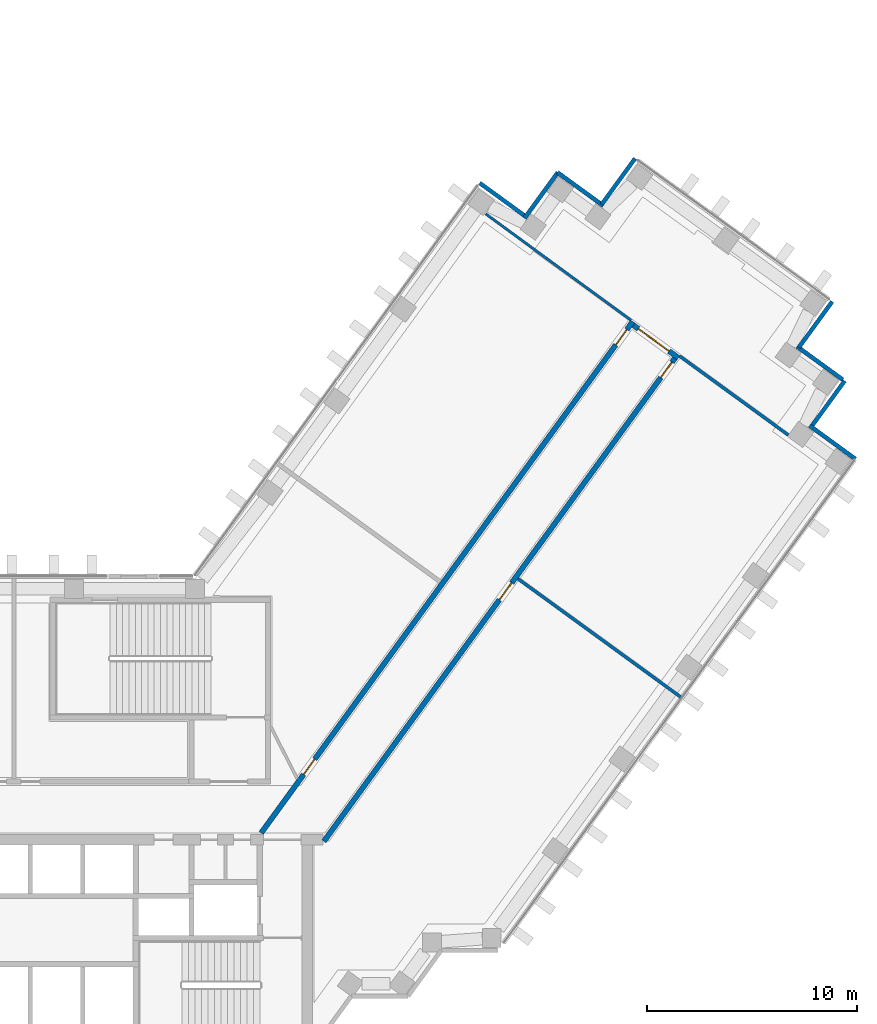
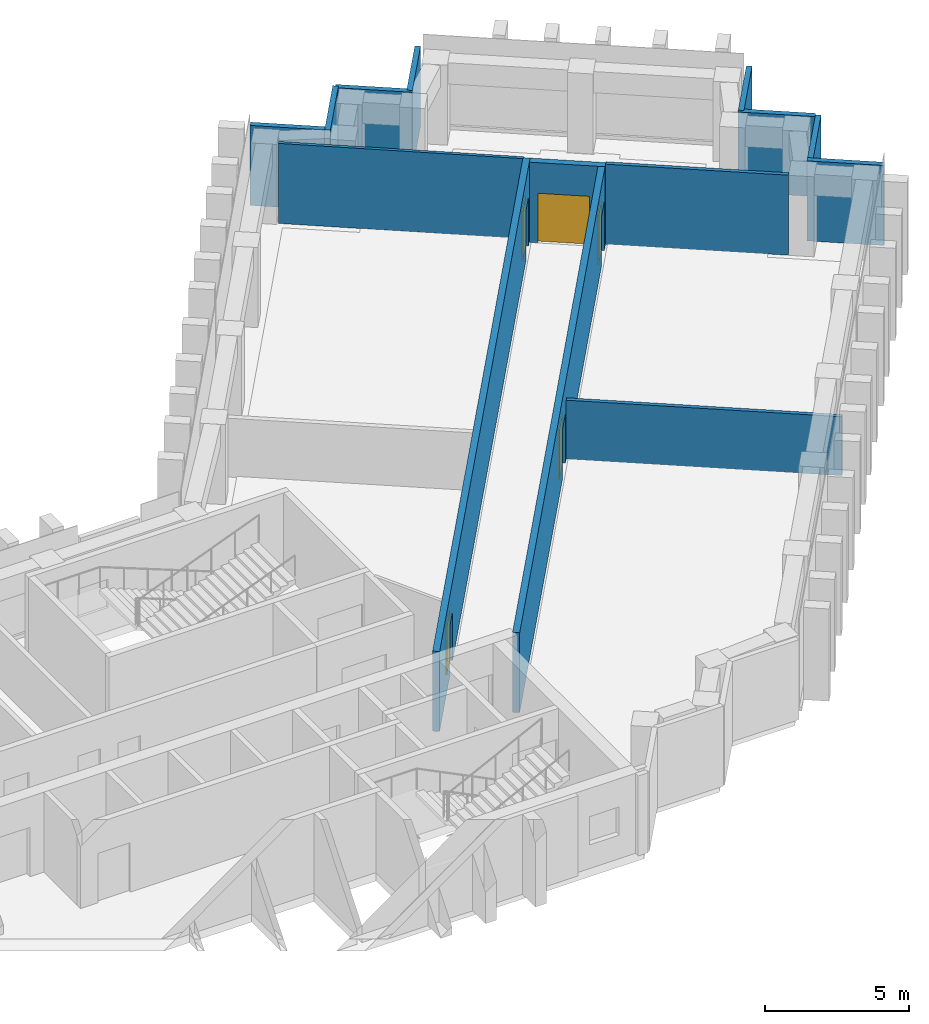
# One storey, part 8 of 11: 14 walls, 5 doors, 5 openings.
"""IFC4 building model written with IfcOpenShell, lengths in metres."""

from ifc_helpers import new_model, si_unit, direction, frame, frame_2d, origin, place, context, subcontext, project, spatial, rectangle, extrude, material, layer, layer_set, type_object, element, fill, save


model = new_model("IFC4")

# Units and contexts
model_context = context("Model", 3, precision=1e-05, world=origin(), true_north=direction((0.0, 1.0)))
body_context = subcontext(model_context, "Body", "Model", "MODEL_VIEW")
ifc_project = project(units=[si_unit("LENGTHUNIT", "METRE"), si_unit("AREAUNIT", "SQUARE_METRE"), si_unit("VOLUMEUNIT", "CUBIC_METRE"), si_unit("PLANEANGLEUNIT", "RADIAN"), si_unit("MASSUNIT", "GRAM", prefix="KILO")], contexts=[model_context])

# Site, building, storey
site_placement = place(None, origin())
site = spatial("IfcSite", under=ifc_project, at=site_placement, CompositionType="ELEMENT")
building_placement = place(site_placement, origin())
building = spatial("IfcBuilding", under=site, at=building_placement, Name="Quipu Civic Tower", CompositionType="ELEMENT")
storey_placement = place(building_placement, frame((0.0, 0.0, 129.0)))
storey = spatial("IfcBuildingStorey", under=building, at=storey_placement, Name="L30", CompositionType="ELEMENT", Elevation=129.0)

# Walls
ifc_material_1 = material(Name="Double gypsum plasterboard with mineral wool")
ifc_layer_1 = layer(ifc_material_1, 0.14990234375)
ifc_layer_set_1 = layer_set([ifc_layer_1], Name="Double gypsum plasterboard with mineral wool")
wall_type_1 = type_object("IfcWallType", Name="Acoustic partition 150 plasterboard", PredefinedType="PARTITIONING", material=ifc_layer_set_1)
wall_1_placement = place(storey_placement, frame((37.577392578125, 5.30712890625, 0.0), z_axis=(0.0, 0.0, 1.0), x_axis=(-0.809032429128, 0.587764007591, 0.0)))
element("IfcWall", 1, at=wall_1_placement, inside=storey, type_object=wall_type_1, Name="Partition P03", PredefinedType="PARTITIONING", context=body_context, shape_type="SweptSolid", body=[
    extrude(rectangle(XDim=9.651123046875, YDim=0.14990234375, at=frame_2d((4.82568359375, 0.0))), origin(), (0.0, 0.0, 1.0), 2.5),
])
wall_2_placement = place(storey_placement, frame((42.6455078125, 17.822998046875, 0.0), z_axis=(0.0, 0.0, 1.0), x_axis=(-0.80900675786, 0.587799341388, 0.0)))
element("IfcWall", 2, at=wall_2_placement, inside=storey, type_object=wall_type_1, Name="Partition P06", PredefinedType="PARTITIONING", context=body_context, shape_type="SweptSolid", body=[
    extrude(rectangle(XDim=6.394775390625, YDim=0.14990234375, at=frame_2d((3.197265625, 0.0))), origin(), (0.0, 0.0, 1.0), 3.39990234375),
])

# Wall, openings, doors
ifc_material_2 = material(Name="Concrete C50/60", Category="concrete")
ifc_layer_2 = layer(ifc_material_2, 0.25)
ifc_layer_set_2 = layer_set([ifc_layer_2], Name="Concrete C50/60")
wall_type_2 = type_object("IfcWallType", Name="Corridor wall 250 concrete", PredefinedType="SOLIDWALL", material=ifc_layer_set_2)
wall_3_placement = place(storey_placement, frame((17.544921875, -1.124755859375, 0.0), z_axis=(0.0, 0.0, 1.0), x_axis=(0.587786330937, 0.809016210693, 0.0)))
wall_3 = element("IfcWall", 3, at=wall_3_placement, inside=storey, type_object=wall_type_2, Name="Corridor wall C05", PredefinedType="SOLIDWALL", context=body_context, shape_type="SweptSolid", body=[
    extrude(rectangle(XDim=30.10302734375, YDim=0.25, at=frame_2d((15.051513671875, 0.0))), origin(), (0.0, 0.0, 1.0), 3.39990234375),
])
opening_1_placement = place(wall_3_placement, frame((3.44140625, 0.0, 0.0)))
opening_1 = element("IfcOpeningElement", 4, at=opening_1_placement, cuts=wall_3, Name="Opening D001", PredefinedType="OPENING", context=body_context, shape_type="SweptSolid", body=[
    extrude(rectangle(XDim=0.89990234375, YDim=2.10009765625, at=frame_2d((0.449951171875, 1.050048828125))), frame((0.0, 0.135009765625, 0.0), z_axis=(0.0, -1.0, 0.0), x_axis=(1.0, 0.0, 0.0)), (0.0, 0.0, 1.0), 0.27001953125),
])
opening_2_placement = place(wall_3_placement, frame((28.72900390625, 0.0, 0.0)))
opening_2 = element("IfcOpeningElement", 5, at=opening_2_placement, cuts=wall_3, Name="Opening D002", PredefinedType="OPENING", context=body_context, shape_type="SweptSolid", body=[
    extrude(rectangle(XDim=0.89990234375, YDim=2.10009765625, at=frame_2d((0.449951171875, 1.050048828125))), frame((0.0, 0.135009765625, 0.0), z_axis=(0.0, -1.0, 0.0), x_axis=(1.0, 0.0, 0.0)), (0.0, 0.0, 1.0), 0.27001953125),
])
ifc_material_3 = material(Name="Fire rated timber door set with metal frame", Category="wood")
door_type_1 = type_object("IfcDoorType", Name="Single door 900 x 2100 FD60", OperationType="NOTDEFINED", PredefinedType="DOOR", material=ifc_material_3)
door_1_placement = place(opening_1_placement, origin())
door_1 = element("IfcDoor", 6, at=door_1_placement, inside=storey, type_object=door_type_1, Name="Door D001", OperationType="SINGLE_SWING_LEFT", OverallHeight=2.10009765625, OverallWidth=0.89990234375, PredefinedType="DOOR", context=body_context, shape_type="SweptSolid", body=[
    extrude(rectangle(XDim=0.89990234375, YDim=2.10009765625, at=frame_2d((0.449951171875, 1.050048828125))), frame((0.0, 0.02490234375, 0.0), z_axis=(0.0, -1.0, 0.0), x_axis=(1.0, 0.0, 0.0)), (0.0, 0.0, 1.0), 0.050048828125),
])
fill(opening_1, door_1)
door_2_placement = place(opening_2_placement, origin())
door_2 = element("IfcDoor", 7, at=door_2_placement, inside=storey, type_object=door_type_1, Name="Door D002", OperationType="SINGLE_SWING_RIGHT", OverallHeight=2.10009765625, OverallWidth=0.89990234375, PredefinedType="DOOR", context=body_context, shape_type="SweptSolid", body=[
    extrude(rectangle(XDim=0.89990234375, YDim=2.10009765625, at=frame_2d((0.449951171875, 1.050048828125))), frame((0.0, 0.02490234375, 0.0), z_axis=(0.0, -1.0, 0.0), x_axis=(1.0, 0.0, 0.0)), (0.0, 0.0, 1.0), 0.050048828125),
])
fill(opening_2, door_2)

# Wall, opening, door
wall_4_placement = place(storey_placement, frame((35.2666015625, 23.054443359375, 0.0), z_axis=(0.0, 0.0, 1.0), x_axis=(0.809038743598, -0.587755315891, 0.0)))
wall_4 = element("IfcWall", 8, at=wall_4_placement, inside=storey, type_object=wall_type_2, Name="Corridor wall C06", PredefinedType="SOLIDWALL", context=body_context, shape_type="SweptSolid", body=[
    extrude(rectangle(XDim=2.650146484375, YDim=0.25, at=frame_2d((1.3251953125, 0.0))), origin(), (0.0, 0.0, 1.0), 3.39990234375),
])
opening_3_placement = place(wall_4_placement, frame((0.300048828125, 0.0, 0.0)))
opening_3 = element("IfcOpeningElement", 9, at=opening_3_placement, cuts=wall_4, Name="Opening D005", PredefinedType="OPENING", context=body_context, shape_type="SweptSolid", body=[
    extrude(rectangle(XDim=1.800048828125, YDim=2.10009765625, at=frame_2d((0.89990234375, 1.050048828125))), frame((0.0, 0.135009765625, 0.0), z_axis=(0.0, -1.0, 0.0), x_axis=(1.0, 0.0, 0.0)), (0.0, 0.0, 1.0), 0.27001953125),
])
ifc_material_4 = material(Name="Fire rated timber door set with metal frame", Category="wood")
door_type_2 = type_object("IfcDoorType", Name="Double door 1800 x 2100 FD60", OperationType="DOUBLE_DOOR_SINGLE_SWING", PredefinedType="DOOR", material=ifc_material_4)
door_3_placement = place(opening_3_placement, origin())
door_3 = element("IfcDoor", 10, at=door_3_placement, inside=storey, type_object=door_type_2, Name="Door D005", OperationType="DOUBLE_DOOR_SINGLE_SWING", OverallHeight=2.10009765625, OverallWidth=1.800048828125, PredefinedType="DOOR", context=body_context, shape_type="SweptSolid", body=[
    extrude(rectangle(XDim=1.800048828125, YDim=2.10009765625, at=frame_2d((0.89990234375, 1.050048828125))), frame((0.0, 0.02490234375, 0.0), z_axis=(0.0, -1.0, 0.0), x_axis=(1.0, 0.0, 0.0)), (0.0, 0.0, 1.0), 0.050048828125),
])
fill(opening_3, door_3)

# Wall, openings, doors
wall_5_placement = place(storey_placement, frame((37.236083984375, 21.46923828125, 0.0), z_axis=(0.0, 0.0, 1.0), x_axis=(-0.58778344073, -0.809018310549, 0.0)))
wall_5 = element("IfcWall", 11, at=wall_5_placement, inside=storey, type_object=wall_type_2, Name="Corridor wall C07", PredefinedType="SOLIDWALL", context=body_context, shape_type="SweptSolid", body=[
    extrude(rectangle(XDim=28.42041015625, YDim=0.25, at=frame_2d((14.210205078125, 0.0))), origin(), (0.0, 0.0, 1.0), 3.39990234375),
])
opening_4_placement = place(wall_5_placement, frame((13.204833984375, 0.0, 0.0)))
opening_4 = element("IfcOpeningElement", 12, at=opening_4_placement, cuts=wall_5, Name="Opening D003", PredefinedType="OPENING", context=body_context, shape_type="SweptSolid", body=[
    extrude(rectangle(XDim=1.0, YDim=2.10009765625, at=frame_2d((0.5, 1.050048828125))), frame((0.0, 0.135009765625, 0.0), z_axis=(0.0, -1.0, 0.0), x_axis=(1.0, 0.0, 0.0)), (0.0, 0.0, 1.0), 0.27001953125),
])
opening_5_placement = place(wall_5_placement, frame((0.224365234375, 0.0, 0.0)))
opening_5 = element("IfcOpeningElement", 13, at=opening_5_placement, cuts=wall_5, Name="Opening D004", PredefinedType="OPENING", context=body_context, shape_type="SweptSolid", body=[
    extrude(rectangle(XDim=0.89990234375, YDim=2.10009765625, at=frame_2d((0.449951171875, 1.050048828125))), frame((0.0, 0.135009765625, 0.0), z_axis=(0.0, -1.0, 0.0), x_axis=(1.0, 0.0, 0.0)), (0.0, 0.0, 1.0), 0.27001953125),
])
ifc_material_5 = material(Name="Fire rated timber door set with metal frame", Category="wood")
door_type_3 = type_object("IfcDoorType", Name="Single door 1000 x 2100 FD60", OperationType="NOTDEFINED", PredefinedType="DOOR", material=ifc_material_5)
door_4_placement = place(opening_4_placement, origin())
door_4 = element("IfcDoor", 14, at=door_4_placement, inside=storey, type_object=door_type_3, Name="Door D003", OperationType="SINGLE_SWING_LEFT", OverallHeight=2.10009765625, OverallWidth=1.0, PredefinedType="DOOR", context=body_context, shape_type="SweptSolid", body=[
    extrude(rectangle(XDim=1.0, YDim=2.10009765625, at=frame_2d((0.5, 1.050048828125))), frame((0.0, 0.02490234375, 0.0), z_axis=(0.0, -1.0, 0.0), x_axis=(1.0, 0.0, 0.0)), (0.0, 0.0, 1.0), 0.050048828125),
])
fill(opening_4, door_4)
door_5_placement = place(opening_5_placement, origin())
door_5 = element("IfcDoor", 15, at=door_5_placement, inside=storey, type_object=door_type_1, Name="Door D004", OperationType="SINGLE_SWING_LEFT", OverallHeight=2.10009765625, OverallWidth=0.89990234375, PredefinedType="DOOR", context=body_context, shape_type="SweptSolid", body=[
    extrude(rectangle(XDim=0.89990234375, YDim=2.10009765625, at=frame_2d((0.449951171875, 1.050048828125))), frame((0.0, 0.02490234375, 0.0), z_axis=(0.0, -1.0, 0.0), x_axis=(1.0, 0.0, 0.0)), (0.0, 0.0, 1.0), 0.050048828125),
])
fill(opening_5, door_5)

# Walls
ifc_material_6 = material(Name="Gypsum plasterboard on light gauge framing")
ifc_layer_3 = layer(ifc_material_6, 0.1201171875)
ifc_layer_set_3 = layer_set([ifc_layer_3], Name="Gypsum plasterboard on light gauge framing")
wall_type_3 = type_object("IfcWallType", Name="Partition 120 plasterboard", PredefinedType="PARTITIONING", material=ifc_layer_set_3)
wall_6_placement = place(storey_placement, frame((28.23828125, 28.351806640625, 0.0), z_axis=(0.0, 0.0, 1.0), x_axis=(0.806980651863, -0.590577875913, 0.0)))
element("IfcWall", 16, at=wall_6_placement, inside=storey, type_object=wall_type_3, Name="Partition P07", PredefinedType="PARTITIONING", context=body_context, shape_type="SweptSolid", body=[
    extrude(rectangle(XDim=8.569580078125, YDim=0.1201171875, at=frame_2d((4.28466796875, 0.0))), origin(), (0.0, 0.0, 1.0), 3.39990234375),
])
ifc_material_7 = material(Name="Precast concrete C40/50", Category="concrete")
wall_type_4 = type_object("IfcWallType", Name="Precast cladding wall", PredefinedType="SOLIDWALL", material=ifc_material_7)
for number, where, z_axis, x_axis, name in (
    (17, (43.148681640625, 21.993896484375, 0.0), (0.0, 0.0, 1.0), (0.587822180636, 0.808990163075, 0.0), "Precast cladding wall L30 P25"),
    (18, (35.351318359375, 30.99658203125, 0.0), (0.0, 0.0, 1.0), (-0.587822180636, -0.808990163075, 0.0), "Precast cladding wall L30 P27"),
    (19, (33.837890625, 28.743896484375, 0.0), (0.0, 0.0, 1.0), (-0.809033161865, 0.587762999008, 0.0), "Precast cladding wall L30 P28"),
    (20, (31.67041015625, 30.33349609375, 0.0), (0.0, 0.0, 1.0), (-0.587762999008, -0.809033161865, 0.0), "Precast cladding wall L30 P29"),
    (21, (30.132568359375, 28.237060546875, 0.0), (0.0, 0.0, 1.0), (-0.808990163075, 0.587822180636, 0.0), "Precast cladding wall L30 P30"),
    (22, (45.84228515625, 16.6845703125, 0.0), (0.0, 0.0, 1.0), (-0.808958916286, 0.58786518162, 0.0), "Precast cladding wall L30 1"),
    (23, (43.74609375, 18.22265625, 0.0), (0.0, 0.0, 1.0), (0.587762999008, 0.809033161865, 0.0), "Precast cladding wall L30 2"),
    (24, (45.2451171875, 20.4560546875, 0.0), (0.0, 0.0, 1.0), (-0.809033161865, 0.587762999008, 0.0), "Precast cladding wall L30 3"),
):
    element("IfcWall", number, at=place(storey_placement, frame(where, z_axis=z_axis, x_axis=x_axis)), inside=storey, type_object=wall_type_4, Name=name, PredefinedType="SOLIDWALL", context=body_context, shape_type="SweptSolid", body=[
        extrude(rectangle(XDim=2.699951171875, YDim=0.199951171875, at=frame_2d((1.35009765625, 0.0))), origin(), (0.0, 0.0, 1.0), 3.39990234375),
    ])

save(model, "model.ifc")
